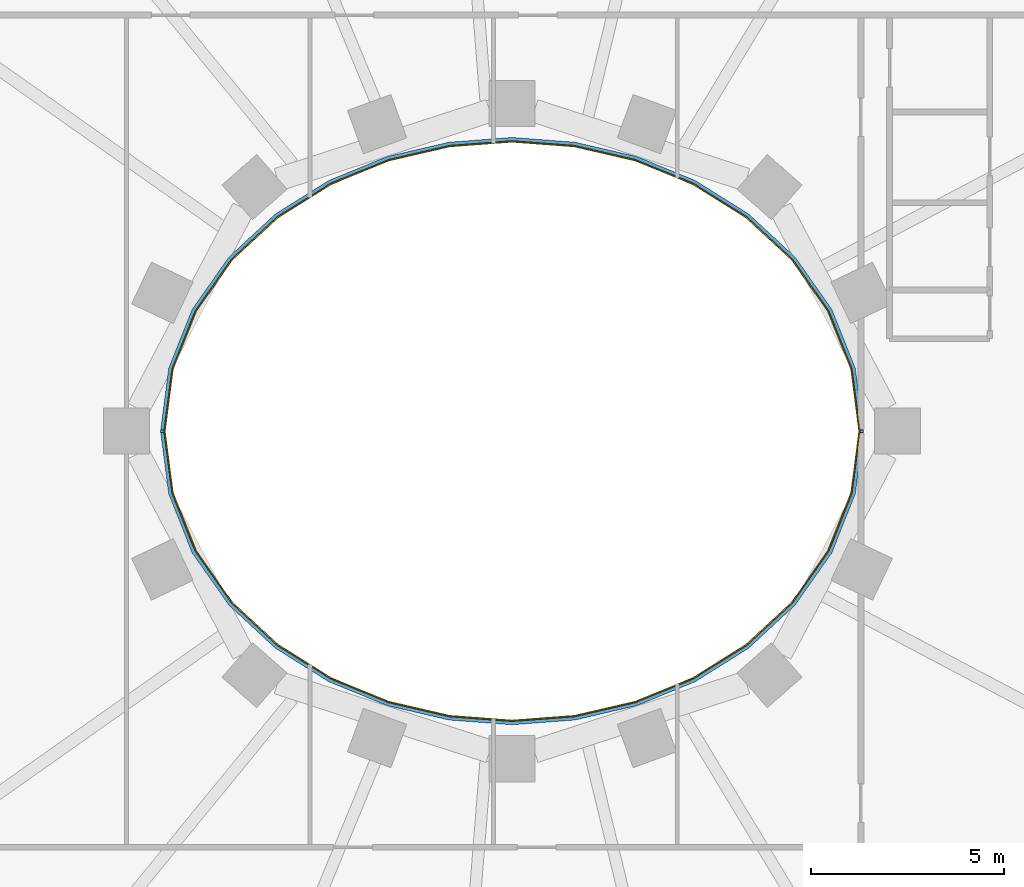
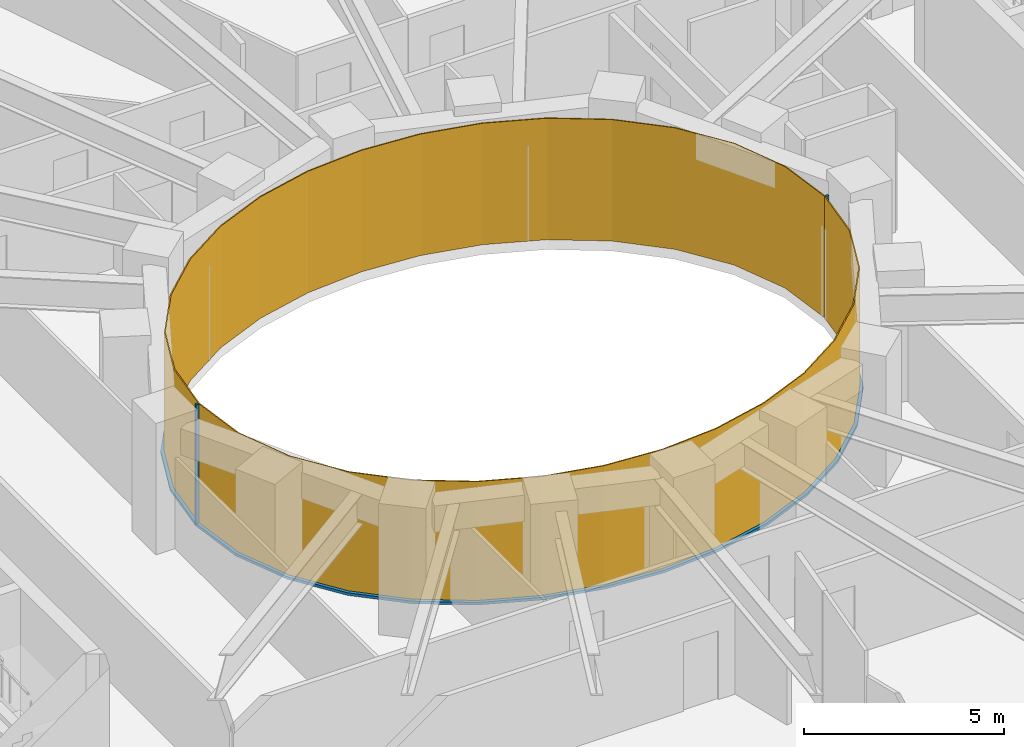
# One storey, part 10 of 15: 4 members, 2 curtain walls.
"""IFC4 building model written with IfcOpenShell, lengths in metres."""

from ifc_helpers import new_model, si_unit, direction, frame, origin, origin_2d, place, context, subcontext, project, spatial, polyline, rectangle, outline, extrude, material, layer, layer_set, material_profile, profile_set, type_object, element, aggregate, save


model = new_model("IFC4")

# Units and contexts
model_context = context("Model", 3, precision=1e-05, world=origin(), true_north=direction((0.0, 1.0)))
body_context = subcontext(model_context, "Body", "Model", "MODEL_VIEW")
ifc_project = project(units=[si_unit("LENGTHUNIT", "METRE"), si_unit("AREAUNIT", "SQUARE_METRE"), si_unit("VOLUMEUNIT", "CUBIC_METRE"), si_unit("PLANEANGLEUNIT", "RADIAN"), si_unit("MASSUNIT", "GRAM", prefix="KILO")], contexts=[model_context])

# Member
ifc_material_1 = material(Name="Steel S355 fire-resisting frame", Category="steel")
ifc_material_profile = material_profile(ifc_material_1, rectangle(XDim=0.090087890625, YDim=0.06005859375, at=origin_2d()), Name="90x60")
ifc_profile_set = profile_set([ifc_material_profile], Name="Steel S355 fire-resisting frame")
member_type_1 = type_object("IfcMemberType", Name="ENV-MULLION-W-90", PredefinedType="MULLION", material=ifc_profile_set)
site_placement = place(None, origin())
building_placement = place(site_placement, origin())
storey_placement = place(building_placement, frame((0.0, 0.0, 104.0)))
member_1_placement = place(storey_placement, frame((9.076904296875, 0.0, 0.0), z_axis=(0.0, 0.0, 1.0), x_axis=(1.0, 0.0, 0.0)))
member_1 = element("IfcMember", 1, at=member_1_placement, type_object=member_type_1, Name="Mullion W well vertex 01", PredefinedType="MULLION", context=body_context, shape_type="SweptSolid", body=[
    extrude(rectangle(XDim=0.090087890625, YDim=0.06005859375, at=origin_2d()), origin(), (0.0, 0.0, 1.0), 3.699951171875),
])

member_2_placement = place(storey_placement, frame((-9.076904296875, 0.0, 0.0), z_axis=(0.0, 0.0, 1.0), x_axis=(-1.0, 0.0, 0.0)))
member_2 = element("IfcMember", 2, at=member_2_placement, type_object=member_type_1, Name="Mullion W well vertex 17", PredefinedType="MULLION", context=body_context, shape_type="SweptSolid", body=[
    extrude(rectangle(XDim=0.090087890625, YDim=0.06005859375, at=origin_2d()), origin(), (0.0, 0.0, 1.0), 3.699951171875),
])

ifc_material_2 = material(Name="Steel S355 fire-resisting frame", Category="steel")
member_type_2 = type_object("IfcMemberType", Name="ENV-TRANSOM-W", PredefinedType="USERDEFINED", material=ifc_material_2)
member_3_placement = place(storey_placement, origin())
member_3 = element("IfcMember", 3, at=member_3_placement, type_object=member_type_2, Name="Transom W well 01-17", ObjectType="TRANSOM", PredefinedType="USERDEFINED", context=body_context, shape_type="SweptSolid", body=[
    extrude(outline(polyline([(9.119384765625, 0.02783203125), (8.910400390625, 1.63623046875), (8.29833984375, 3.167236328125), (7.35107421875, 4.5146484375), (6.1455078125, 5.6337890625), (4.75341796875, 6.50634765625), (3.233642578125, 7.127685546875), (1.635498046875, 7.498779296875), (0.0, 7.622314453125), (-1.635498046875, 7.498779296875), (-3.233642578125, 7.127685546875), (-4.75341796875, 6.50634765625), (-6.1455078125, 5.6337890625), (-7.35107421875, 4.5146484375), (-8.29833984375, 3.167236328125), (-8.910400390625, 1.63623046875), (-9.119384765625, 0.02783203125), (-9.02880859375, 0.02783203125), (-8.822509765625, 1.61328125), (-8.21875, 3.124267578125), (-7.282958984375, 4.455078125), (-6.090576171875, 5.56201171875), (-4.712158203125, 6.426025390625), (-3.206298828125, 7.04150390625), (-1.621826171875, 7.40966796875), (0.0, 7.531982421875), (1.621826171875, 7.40966796875), (3.206298828125, 7.04150390625), (4.712158203125, 6.426025390625), (6.090576171875, 5.56201171875), (7.282958984375, 4.455078125), (8.21875, 3.124267578125), (8.822509765625, 1.61328125), (9.02880859375, 0.02783203125), (9.119384765625, 0.02783203125)])), origin(), (0.0, 0.0, 1.0), 0.080078125),
])

member_4_placement = place(storey_placement, origin())
member_4 = element("IfcMember", 4, at=member_4_placement, type_object=member_type_2, Name="Transom W well 17-01", ObjectType="TRANSOM", PredefinedType="USERDEFINED", context=body_context, shape_type="SweptSolid", body=[
    extrude(outline(polyline([(-9.119384765625, -0.02783203125), (-8.910400390625, -1.63623046875), (-8.29833984375, -3.167236328125), (-7.35107421875, -4.5146484375), (-6.1455078125, -5.6337890625), (-4.75341796875, -6.50634765625), (-3.233642578125, -7.127685546875), (-1.635498046875, -7.498779296875), (0.0, -7.622314453125), (1.635498046875, -7.498779296875), (3.233642578125, -7.127685546875), (4.75341796875, -6.50634765625), (6.1455078125, -5.6337890625), (7.35107421875, -4.5146484375), (8.29833984375, -3.167236328125), (8.910400390625, -1.63623046875), (9.119384765625, -0.02783203125), (9.02880859375, -0.02783203125), (8.822509765625, -1.61328125), (8.21875, -3.124267578125), (7.282958984375, -4.455078125), (6.090576171875, -5.56201171875), (4.712158203125, -6.426025390625), (3.206298828125, -7.04150390625), (1.621826171875, -7.40966796875), (0.0, -7.531982421875), (-1.621826171875, -7.40966796875), (-3.206298828125, -7.04150390625), (-4.712158203125, -6.426025390625), (-6.090576171875, -5.56201171875), (-7.282958984375, -4.455078125), (-8.21875, -3.124267578125), (-8.822509765625, -1.61328125), (-9.02880859375, -0.02783203125), (-9.119384765625, -0.02783203125)])), origin(), (0.0, 0.0, 1.0), 0.080078125),
])

# Site, building, storey
site = spatial("IfcSite", under=ifc_project, at=site_placement, CompositionType="ELEMENT")
building = spatial("IfcBuilding", under=site, at=building_placement, Name="Noorbagh Ring Tower", CompositionType="ELEMENT")
storey = spatial("IfcBuildingStorey", under=building, at=storey_placement, Name="L23", CompositionType="ELEMENT", Elevation=104.0)

# Curtain wall
ifc_material_3 = material(Name="Glass fire-resisting E60 laminated", Category="glass")
ifc_layer = layer(ifc_material_3, 0.031982421875)
ifc_layer_set = layer_set([ifc_layer], Name="Glass fire-resisting E60 laminated")
curtain_wall_type = type_object("IfcCurtainWallType", Name="ENV-CW-W", PredefinedType="NOTDEFINED", material=ifc_layer_set)
curtain_wall_1_placement = place(storey_placement, origin())
curtain_wall_1 = element("IfcCurtainWall", 5, at=curtain_wall_1_placement, inside=storey, type_object=curtain_wall_type, Name="Curtain wall W W01", PredefinedType="NOTDEFINED", context=body_context, shape_type="SweptSolid", body=[
    extrude(outline(polyline([(9.0322265625, 0.0), (8.822509765625, 1.61328125), (8.21875, 3.124267578125), (7.282958984375, 4.455078125), (6.090576171875, 5.56201171875), (4.712158203125, 6.426025390625), (3.206298828125, 7.04150390625), (1.621826171875, 7.40966796875), (0.0, 7.531982421875), (-1.621826171875, 7.40966796875), (-3.206298828125, 7.04150390625), (-4.712158203125, 6.426025390625), (-6.090576171875, 5.56201171875), (-7.282958984375, 4.455078125), (-8.21875, 3.124267578125), (-8.822509765625, 1.61328125), (-9.0322265625, 0.0), (-9.0, 0.0), (-8.79150390625, 1.605224609375), (-8.1904296875, 3.10888671875), (-7.2587890625, 4.43408203125), (-6.071044921875, 5.53662109375), (-4.697509765625, 6.3974609375), (-3.196533203125, 7.010986328125), (-1.6171875, 7.3779296875), (0.0, 7.5), (1.6171875, 7.3779296875), (3.196533203125, 7.010986328125), (4.697509765625, 6.3974609375), (6.071044921875, 5.53662109375), (7.2587890625, 4.43408203125), (8.1904296875, 3.10888671875), (8.79150390625, 1.605224609375), (9.0, 0.0), (9.0322265625, 0.0)])), origin(), (0.0, 0.0, 1.0), 3.699951171875),
])

aggregate(curtain_wall_1, [member_1, member_2, member_3])

curtain_wall_2_placement = place(storey_placement, origin())
curtain_wall_2 = element("IfcCurtainWall", 6, at=curtain_wall_2_placement, inside=storey, type_object=curtain_wall_type, Name="Curtain wall W W17", PredefinedType="NOTDEFINED", context=body_context, shape_type="SweptSolid", body=[
    extrude(outline(polyline([(-9.0322265625, 0.0), (-8.822509765625, -1.61328125), (-8.21875, -3.124267578125), (-7.282958984375, -4.455078125), (-6.090576171875, -5.56201171875), (-4.712158203125, -6.426025390625), (-3.206298828125, -7.04150390625), (-1.621826171875, -7.40966796875), (0.0, -7.531982421875), (1.621826171875, -7.40966796875), (3.206298828125, -7.04150390625), (4.712158203125, -6.426025390625), (6.090576171875, -5.56201171875), (7.282958984375, -4.455078125), (8.21875, -3.124267578125), (8.822509765625, -1.61328125), (9.0322265625, 0.0), (9.0, 0.0), (8.79150390625, -1.605224609375), (8.1904296875, -3.10888671875), (7.2587890625, -4.43408203125), (6.071044921875, -5.53662109375), (4.697509765625, -6.3974609375), (3.196533203125, -7.010986328125), (1.6171875, -7.3779296875), (0.0, -7.5), (-1.6171875, -7.3779296875), (-3.196533203125, -7.010986328125), (-4.697509765625, -6.3974609375), (-6.071044921875, -5.53662109375), (-7.2587890625, -4.43408203125), (-8.1904296875, -3.10888671875), (-8.79150390625, -1.605224609375), (-9.0, 0.0), (-9.0322265625, 0.0)])), origin(), (0.0, 0.0, 1.0), 3.699951171875),
])

aggregate(curtain_wall_2, [member_4])

save(model, "model.ifc")
